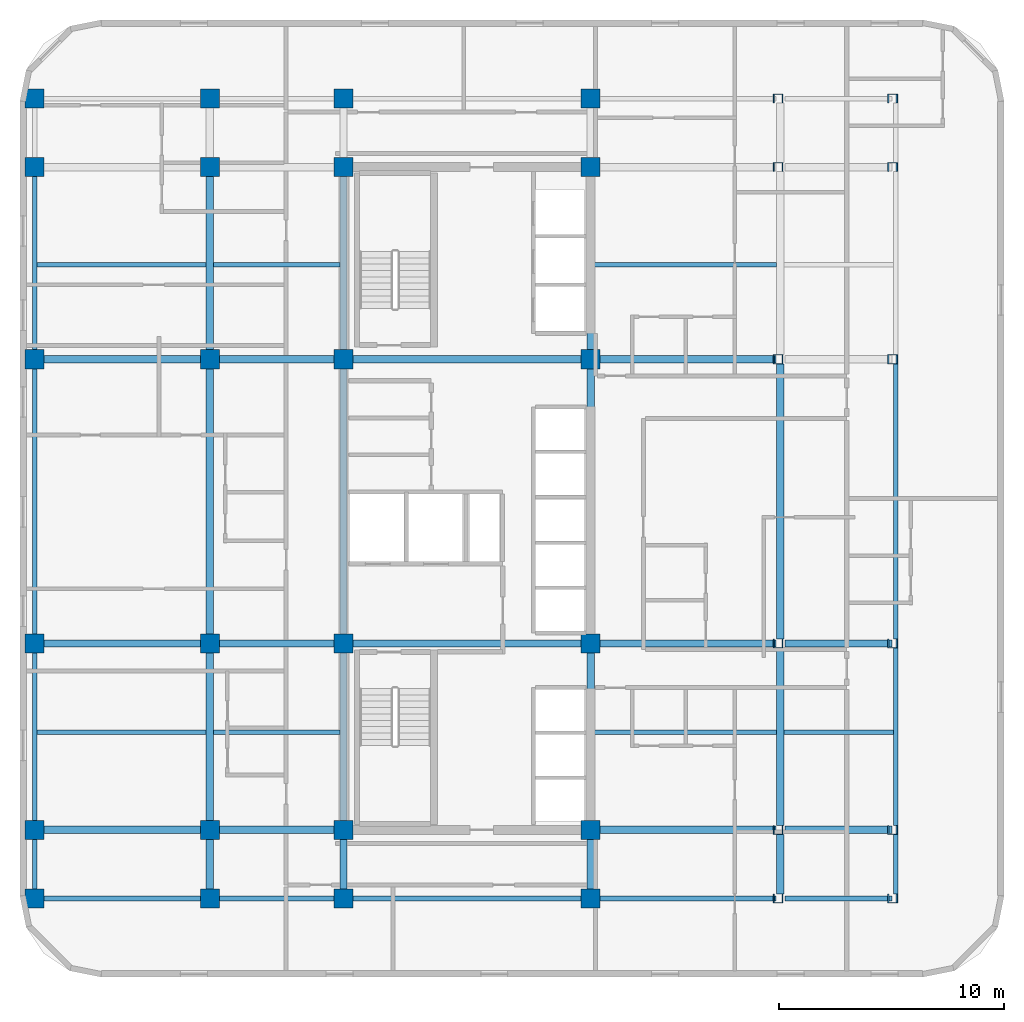
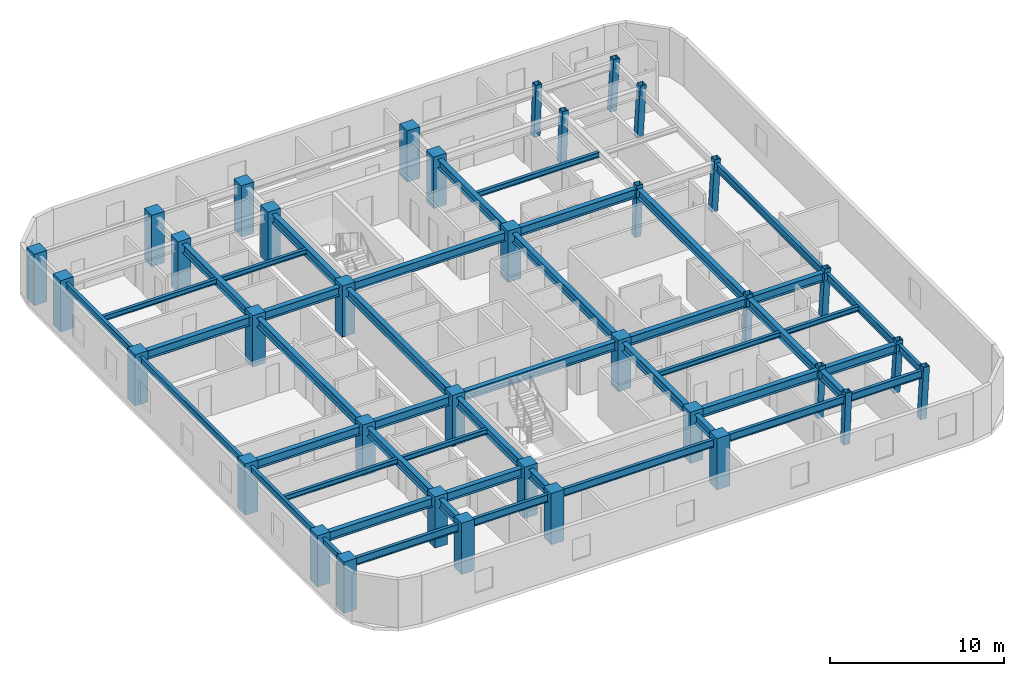
# One storey, part 1 of 8: 47 beams, 36 columns.
"""IFC4 building model written with IfcOpenShell, lengths in metres."""

from ifc_helpers import new_model, si_unit, direction, frame, origin, origin_2d, place, context, subcontext, project, spatial, rectangle, hollow_rectangle, i_section, extrude, material, material_profile, profile_set, type_object, element, save


model = new_model("IFC4")

# Units and contexts
model_context = context("Model", 3, precision=1e-05, world=origin(), true_north=direction((0.0, 1.0)))
body_context = subcontext(model_context, "Body", "Model", "MODEL_VIEW")
ifc_project = project(units=[si_unit("LENGTHUNIT", "METRE"), si_unit("AREAUNIT", "SQUARE_METRE"), si_unit("VOLUMEUNIT", "CUBIC_METRE"), si_unit("PLANEANGLEUNIT", "RADIAN"), si_unit("MASSUNIT", "GRAM", prefix="KILO")], contexts=[model_context])

# Site, building, storey
site_placement = place(None, origin())
site = spatial("IfcSite", under=ifc_project, at=site_placement, CompositionType="ELEMENT")
building_placement = place(site_placement, origin())
building = spatial("IfcBuilding", under=site, at=building_placement, Name="Ochreholt Gables", CompositionType="ELEMENT")
storey_placement = place(building_placement, frame((0.0, 0.0, 102.60009765625)))
storey = spatial("IfcBuildingStorey", under=building, at=storey_placement, Name="L26", CompositionType="ELEMENT", Elevation=102.60009765625)

# Columns
ifc_material_1 = material(Name="Steel CSA G40.21 350W", Category="steel")
ifc_material_profile_1 = material_profile(ifc_material_1, hollow_rectangle(XDim=0.406005859375, YDim=0.406005859375, WallThickness=0.01611328125, at=origin_2d()), Name="HSS406X406X16")
ifc_profile_set_1 = profile_set([ifc_material_profile_1], Name="Steel CSA G40.21 350W")
column_type_1 = type_object("IfcColumnType", Name="COL-HSS406-RAK", PredefinedType="COLUMN", material=ifc_profile_set_1)
for number, where, z_axis, x_axis, name in (
    (1, (43.527099609375, 9.25, 0.0), (0.034973505036, 0.0, 0.999388239847), (0.0, 1.0, 0.0), "L26 Column EMY2"),
    (2, (43.527099609375, 17.550048828125, 0.0), (0.034973505036, 0.0, 0.999388239847), (0.0, 1.0, 0.0), "L26 Column EMY3"),
    (3, (43.527099609375, 30.199951171875, 0.0), (0.034973505036, 0.0, 0.999388239847), (0.0, 1.0, 0.0), "L26 Column EMY4"),
    (4, (43.527099609375, 38.75, 0.0), (0.034973505036, 0.0, 0.999388239847), (0.0, 1.0, 0.0), "L26 Column EMY5"),
):
    element("IfcColumn", number, at=place(storey_placement, frame(where, z_axis=z_axis, x_axis=x_axis)), inside=storey, type_object=column_type_1, Name=name, PredefinedType="COLUMN", context=body_context, shape_type="SweptSolid", body=[
        extrude(hollow_rectangle(XDim=0.406005859375, YDim=0.406005859375, WallThickness=0.01611328125, at=origin_2d()), origin(), (0.0, 0.0, 1.0), 3.60205078125),
    ])
ifc_material_profile_2 = material_profile(ifc_material_1, hollow_rectangle(XDim=0.406005859375, YDim=0.406005859375, WallThickness=0.01611328125, at=origin_2d()), Name="HSS406X406X16")
ifc_profile_set_2 = profile_set([ifc_material_profile_2], Name="Steel CSA G40.21 350W")
column_type_2 = type_object("IfcColumnType", Name="COL-HSS406-RAKE", PredefinedType="COLUMN", material=ifc_profile_set_2)
for number, where, z_axis, x_axis, name in (
    (5, (43.527099609375, 6.199951171875, 0.0), (0.034973505036, 0.0, 0.999388239847), (0.0, 1.0, 0.0), "L26 Column EMY1"),
    (6, (43.527099609375, 41.800048828125, 0.0), (0.034973505036, 0.0, 0.999388239847), (0.0, 1.0, 0.0), "L26 Column EMY6"),
):
    element("IfcColumn", number, at=place(storey_placement, frame(where, z_axis=z_axis, x_axis=x_axis)), inside=storey, type_object=column_type_2, Name=name, PredefinedType="COLUMN", context=body_context, shape_type="SweptSolid", body=[
        extrude(hollow_rectangle(XDim=0.406005859375, YDim=0.406005859375, WallThickness=0.01611328125, at=origin_2d()), origin(), (0.0, 0.0, 1.0), 3.60205078125),
    ])
for number, where, z_axis, x_axis, name in (
    (7, (48.607666015625, 6.199951171875, 0.0), (0.057888518877, 0.0, 0.998323053617), (0.0, 1.0, 0.0), "L26 Column EEY1"),
    (8, (48.607666015625, 9.25, 0.0), (0.057888518877, 0.0, 0.998323053617), (0.0, 1.0, 0.0), "L26 Column EEY2"),
    (9, (48.607666015625, 17.550048828125, 0.0), (0.057888518877, 0.0, 0.998323053617), (0.0, 1.0, 0.0), "L26 Column EEY3"),
    (10, (48.607666015625, 30.199951171875, 0.0), (0.057888518877, 0.0, 0.998323053617), (0.0, 1.0, 0.0), "L26 Column EEY4"),
    (11, (48.607666015625, 38.75, 0.0), (0.057888518877, 0.0, 0.998323053617), (0.0, 1.0, 0.0), "L26 Column EEY5"),
    (12, (48.607666015625, 41.800048828125, 0.0), (0.057888518877, 0.0, 0.998323053617), (0.0, 1.0, 0.0), "L26 Column EEY6"),
):
    element("IfcColumn", number, at=place(storey_placement, frame(where, z_axis=z_axis, x_axis=x_axis)), inside=storey, type_object=column_type_2, Name=name, PredefinedType="COLUMN", context=body_context, shape_type="SweptSolid", body=[
        extrude(hollow_rectangle(XDim=0.406005859375, YDim=0.406005859375, WallThickness=0.01611328125, at=origin_2d()), origin(), (0.0, 0.0, 1.0), 3.60595703125),
    ])
ifc_material_2 = material(Name="Concrete 60 MPa", Category="concrete")
ifc_material_profile_3 = material_profile(ifc_material_2, rectangle(XDim=0.85009765625, YDim=0.85009765625, at=origin_2d()), Name="RC850X850")
ifc_profile_set_3 = profile_set([ifc_material_profile_3], Name="Concrete 60 MPa")
column_type_3 = type_object("IfcColumnType", Name="COL-RC850-EXT", PredefinedType="COLUMN", material=ifc_profile_set_3)
for number, where, z_axis, x_axis, name in (
    (13, (10.449951171875, 6.199951171875, 0.0), (0.0, 0.0, 1.0), (1.0, 0.0, 0.0), "L26 Column W2Y1"),
    (14, (10.449951171875, 9.25, 0.0), (0.0, 0.0, 1.0), (1.0, 0.0, 0.0), "L26 Column W2Y2"),
    (15, (10.449951171875, 17.550048828125, 0.0), (0.0, 0.0, 1.0), (1.0, 0.0, 0.0), "L26 Column W2Y3"),
    (16, (10.449951171875, 30.199951171875, 0.0), (0.0, 0.0, 1.0), (1.0, 0.0, 0.0), "L26 Column W2Y4"),
    (17, (10.449951171875, 38.75, 0.0), (0.0, 0.0, 1.0), (1.0, 0.0, 0.0), "L26 Column W2Y5"),
    (18, (10.449951171875, 41.800048828125, 0.0), (0.0, 0.0, 1.0), (1.0, 0.0, 0.0), "L26 Column W2Y6"),
    (19, (18.25, 6.199951171875, 0.0), (0.0, 0.0, 1.0), (1.0, 0.0, 0.0), "L26 Column W3Y1"),
    (20, (18.25, 41.800048828125, 0.0), (0.0, 0.0, 1.0), (1.0, 0.0, 0.0), "L26 Column W3Y6"),
    (21, (24.199951171875, 6.199951171875, 0.0), (0.0, 0.0, 1.0), (1.0, 0.0, 0.0), "L26 Column C1Y1"),
    (22, (24.199951171875, 41.800048828125, 0.0), (0.0, 0.0, 1.0), (1.0, 0.0, 0.0), "L26 Column C1Y6"),
    (23, (35.199951171875, 6.199951171875, 0.0), (0.0, 0.0, 1.0), (1.0, 0.0, 0.0), "L26 Column C2Y1"),
    (24, (35.199951171875, 41.800048828125, 0.0), (0.0, 0.0, 1.0), (1.0, 0.0, 0.0), "L26 Column C2Y6"),
):
    element("IfcColumn", number, at=place(storey_placement, frame(where, z_axis=z_axis, x_axis=x_axis)), inside=storey, type_object=column_type_3, Name=name, PredefinedType="COLUMN", context=body_context, shape_type="SweptSolid", body=[
        extrude(rectangle(XDim=0.85009765625, YDim=0.85009765625, at=origin_2d()), origin(), (0.0, 0.0, 1.0), 3.599853515625),
    ])
ifc_material_profile_4 = material_profile(ifc_material_2, rectangle(XDim=0.85009765625, YDim=0.85009765625, at=origin_2d()), Name="RC850X850")
ifc_profile_set_4 = profile_set([ifc_material_profile_4], Name="Concrete 60 MPa")
column_type_4 = type_object("IfcColumnType", Name="COL-RC850-INT", PredefinedType="COLUMN", material=ifc_profile_set_4)
for number, where, z_axis, x_axis, name in (
    (25, (18.25, 9.25, 0.0), (0.0, 0.0, 1.0), (1.0, 0.0, 0.0), "L26 Column W3Y2"),
    (26, (18.25, 17.550048828125, 0.0), (0.0, 0.0, 1.0), (1.0, 0.0, 0.0), "L26 Column W3Y3"),
    (27, (18.25, 30.199951171875, 0.0), (0.0, 0.0, 1.0), (1.0, 0.0, 0.0), "L26 Column W3Y4"),
    (28, (18.25, 38.75, 0.0), (0.0, 0.0, 1.0), (1.0, 0.0, 0.0), "L26 Column W3Y5"),
    (29, (24.199951171875, 9.25, 0.0), (0.0, 0.0, 1.0), (1.0, 0.0, 0.0), "L26 Column C1Y2"),
    (30, (24.199951171875, 17.550048828125, 0.0), (0.0, 0.0, 1.0), (1.0, 0.0, 0.0), "L26 Column C1Y3"),
    (31, (24.199951171875, 30.199951171875, 0.0), (0.0, 0.0, 1.0), (1.0, 0.0, 0.0), "L26 Column C1Y4"),
    (32, (24.199951171875, 38.75, 0.0), (0.0, 0.0, 1.0), (1.0, 0.0, 0.0), "L26 Column C1Y5"),
    (33, (35.199951171875, 9.25, 0.0), (0.0, 0.0, 1.0), (1.0, 0.0, 0.0), "L26 Column C2Y2"),
    (34, (35.199951171875, 17.550048828125, 0.0), (0.0, 0.0, 1.0), (1.0, 0.0, 0.0), "L26 Column C2Y3"),
    (35, (35.199951171875, 30.199951171875, 0.0), (0.0, 0.0, 1.0), (1.0, 0.0, 0.0), "L26 Column C2Y4"),
    (36, (35.199951171875, 38.75, 0.0), (0.0, 0.0, 1.0), (1.0, 0.0, 0.0), "L26 Column C2Y5"),
):
    element("IfcColumn", number, at=place(storey_placement, frame(where, z_axis=z_axis, x_axis=x_axis)), inside=storey, type_object=column_type_4, Name=name, PredefinedType="COLUMN", context=body_context, shape_type="SweptSolid", body=[
        extrude(rectangle(XDim=0.85009765625, YDim=0.85009765625, at=origin_2d()), origin(), (0.0, 0.0, 1.0), 3.599853515625),
    ])

# Beams
ifc_material_profile_5 = material_profile(ifc_material_1, i_section(OverallWidth=0.323974609375, OverallDepth=0.611083984375, WebThickness=0.0126953125, FlangeThickness=0.01904296875, at=origin_2d()), Name="W610X155")
ifc_profile_set_5 = profile_set([ifc_material_profile_5], Name="Steel CSA G40.21 350W")
beam_type_1 = type_object("IfcBeamType", Name="BM-G-W610A", PredefinedType="BEAM", material=ifc_profile_set_5)
beam_1_placement = place(storey_placement, frame((10.87451171875, 9.25, 3.054443359375), z_axis=(1.0, 0.0, 0.0), x_axis=(0.0, 1.0, 0.0)))
element("IfcBeam", 37, at=beam_1_placement, inside=storey, type_object=beam_type_1, Name="L26 Beam TBG-L26-W2W3-Y2", PredefinedType="BEAM", context=body_context, shape_type="SweptSolid", body=[
    extrude(i_section(OverallWidth=0.323974609375, OverallDepth=0.611083984375, WebThickness=0.0126953125, FlangeThickness=0.01904296875, at=origin_2d()), origin(), (0.0, 0.0, 1.0), 6.950927734375),
])
beam_2_placement = place(storey_placement, frame((18.674560546875, 9.25, 3.054443359375), z_axis=(1.0, 0.0, 0.0), x_axis=(0.0, 1.0, 0.0)))
element("IfcBeam", 38, at=beam_2_placement, inside=storey, type_object=beam_type_1, Name="L26 Beam TBG-L26-W3C1-Y2", PredefinedType="BEAM", context=body_context, shape_type="SweptSolid", body=[
    extrude(i_section(OverallWidth=0.323974609375, OverallDepth=0.611083984375, WebThickness=0.0126953125, FlangeThickness=0.01904296875, at=origin_2d()), origin(), (0.0, 0.0, 1.0), 5.100830078125),
])
beam_3_placement = place(storey_placement, frame((35.62451171875, 9.25, 3.054443359375), z_axis=(1.0, 0.0, 0.0), x_axis=(0.0, 1.0, 0.0)))
element("IfcBeam", 39, at=beam_3_placement, inside=storey, type_object=beam_type_1, Name="L26 Beam TBG-L26-C2EM-Y2", PredefinedType="BEAM", context=body_context, shape_type="SweptSolid", body=[
    extrude(i_section(OverallWidth=0.323974609375, OverallDepth=0.611083984375, WebThickness=0.0126953125, FlangeThickness=0.01904296875, at=origin_2d()), origin(), (0.0, 0.0, 1.0), 7.825927734375),
])
beam_4_placement = place(storey_placement, frame((43.855712890625, 9.25, 3.054443359375), z_axis=(1.0, 0.0, 0.0), x_axis=(0.0, 1.0, 0.0)))
element("IfcBeam", 40, at=beam_4_placement, inside=storey, type_object=beam_type_1, Name="L26 Beam TBG-L26-EMEE-Y2", PredefinedType="BEAM", context=body_context, shape_type="SweptSolid", body=[
    extrude(i_section(OverallWidth=0.323974609375, OverallDepth=0.611083984375, WebThickness=0.0126953125, FlangeThickness=0.01904296875, at=origin_2d()), origin(), (0.0, 0.0, 1.0), 4.758056640625),
])
beam_5_placement = place(storey_placement, frame((10.87451171875, 17.550048828125, 3.054443359375), z_axis=(1.0, 0.0, 0.0), x_axis=(0.0, 1.0, 0.0)))
element("IfcBeam", 41, at=beam_5_placement, inside=storey, type_object=beam_type_1, Name="L26 Beam TBG-L26-W2W3-Y3", PredefinedType="BEAM", context=body_context, shape_type="SweptSolid", body=[
    extrude(i_section(OverallWidth=0.323974609375, OverallDepth=0.611083984375, WebThickness=0.0126953125, FlangeThickness=0.01904296875, at=origin_2d()), origin(), (0.0, 0.0, 1.0), 6.950927734375),
])
beam_6_placement = place(storey_placement, frame((18.674560546875, 17.550048828125, 3.054443359375), z_axis=(1.0, 0.0, 0.0), x_axis=(0.0, 1.0, 0.0)))
element("IfcBeam", 42, at=beam_6_placement, inside=storey, type_object=beam_type_1, Name="L26 Beam TBG-L26-W3C1-Y3", PredefinedType="BEAM", context=body_context, shape_type="SweptSolid", body=[
    extrude(i_section(OverallWidth=0.323974609375, OverallDepth=0.611083984375, WebThickness=0.0126953125, FlangeThickness=0.01904296875, at=origin_2d()), origin(), (0.0, 0.0, 1.0), 5.100830078125),
])
beam_7_placement = place(storey_placement, frame((24.62451171875, 17.550048828125, 3.054443359375), z_axis=(1.0, 0.0, 0.0), x_axis=(0.0, 1.0, 0.0)))
element("IfcBeam", 43, at=beam_7_placement, inside=storey, type_object=beam_type_1, Name="L26 Beam TBG-L26-C1C2-Y3", PredefinedType="BEAM", context=body_context, shape_type="SweptSolid", body=[
    extrude(i_section(OverallWidth=0.323974609375, OverallDepth=0.611083984375, WebThickness=0.0126953125, FlangeThickness=0.01904296875, at=origin_2d()), origin(), (0.0, 0.0, 1.0), 10.15087890625),
])
beam_8_placement = place(storey_placement, frame((35.62451171875, 17.550048828125, 3.054443359375), z_axis=(1.0, 0.0, 0.0), x_axis=(0.0, 1.0, 0.0)))
element("IfcBeam", 44, at=beam_8_placement, inside=storey, type_object=beam_type_1, Name="L26 Beam TBG-L26-C2EM-Y3", PredefinedType="BEAM", context=body_context, shape_type="SweptSolid", body=[
    extrude(i_section(OverallWidth=0.323974609375, OverallDepth=0.611083984375, WebThickness=0.0126953125, FlangeThickness=0.01904296875, at=origin_2d()), origin(), (0.0, 0.0, 1.0), 7.825927734375),
])
beam_9_placement = place(storey_placement, frame((43.855712890625, 17.550048828125, 3.054443359375), z_axis=(1.0, 0.0, 0.0), x_axis=(0.0, 1.0, 0.0)))
element("IfcBeam", 45, at=beam_9_placement, inside=storey, type_object=beam_type_1, Name="L26 Beam TBG-L26-EMEE-Y3", PredefinedType="BEAM", context=body_context, shape_type="SweptSolid", body=[
    extrude(i_section(OverallWidth=0.323974609375, OverallDepth=0.611083984375, WebThickness=0.0126953125, FlangeThickness=0.01904296875, at=origin_2d()), origin(), (0.0, 0.0, 1.0), 4.758056640625),
])
beam_10_placement = place(storey_placement, frame((10.87451171875, 30.199951171875, 3.054443359375), z_axis=(1.0, 0.0, 0.0), x_axis=(0.0, 1.0, 0.0)))
element("IfcBeam", 46, at=beam_10_placement, inside=storey, type_object=beam_type_1, Name="L26 Beam TBG-L26-W2W3-Y4", PredefinedType="BEAM", context=body_context, shape_type="SweptSolid", body=[
    extrude(i_section(OverallWidth=0.323974609375, OverallDepth=0.611083984375, WebThickness=0.0126953125, FlangeThickness=0.01904296875, at=origin_2d()), origin(), (0.0, 0.0, 1.0), 6.950927734375),
])
beam_11_placement = place(storey_placement, frame((18.674560546875, 30.199951171875, 3.054443359375), z_axis=(1.0, 0.0, 0.0), x_axis=(0.0, 1.0, 0.0)))
element("IfcBeam", 47, at=beam_11_placement, inside=storey, type_object=beam_type_1, Name="L26 Beam TBG-L26-W3C1-Y4", PredefinedType="BEAM", context=body_context, shape_type="SweptSolid", body=[
    extrude(i_section(OverallWidth=0.323974609375, OverallDepth=0.611083984375, WebThickness=0.0126953125, FlangeThickness=0.01904296875, at=origin_2d()), origin(), (0.0, 0.0, 1.0), 5.100830078125),
])
beam_12_placement = place(storey_placement, frame((24.62451171875, 30.199951171875, 3.054443359375), z_axis=(1.0, 0.0, 0.0), x_axis=(0.0, 1.0, 0.0)))
element("IfcBeam", 48, at=beam_12_placement, inside=storey, type_object=beam_type_1, Name="L26 Beam TBG-L26-C1C2-Y4", PredefinedType="BEAM", context=body_context, shape_type="SweptSolid", body=[
    extrude(i_section(OverallWidth=0.323974609375, OverallDepth=0.611083984375, WebThickness=0.0126953125, FlangeThickness=0.01904296875, at=origin_2d()), origin(), (0.0, 0.0, 1.0), 10.15087890625),
])
beam_13_placement = place(storey_placement, frame((35.62451171875, 30.199951171875, 3.054443359375), z_axis=(1.0, 0.0, 0.0), x_axis=(0.0, 1.0, 0.0)))
element("IfcBeam", 49, at=beam_13_placement, inside=storey, type_object=beam_type_1, Name="L26 Beam TBG-L26-C2EM-Y4", PredefinedType="BEAM", context=body_context, shape_type="SweptSolid", body=[
    extrude(i_section(OverallWidth=0.323974609375, OverallDepth=0.611083984375, WebThickness=0.0126953125, FlangeThickness=0.01904296875, at=origin_2d()), origin(), (0.0, 0.0, 1.0), 7.825927734375),
])
beam_14_placement = place(storey_placement, frame((18.25, 6.62451171875, 3.054443359375), z_axis=(0.0, 1.0, 0.0), x_axis=(-1.0, 0.0, 0.0)))
element("IfcBeam", 50, at=beam_14_placement, inside=storey, type_object=beam_type_1, Name="L26 Beam TBN-L26-W3-Y1Y2", PredefinedType="BEAM", context=body_context, shape_type="SweptSolid", body=[
    extrude(i_section(OverallWidth=0.323974609375, OverallDepth=0.611083984375, WebThickness=0.0126953125, FlangeThickness=0.01904296875, at=origin_2d()), origin(), (0.0, 0.0, 1.0), 2.200927734375),
])
beam_15_placement = place(storey_placement, frame((18.25, 9.674560546875, 3.054443359375), z_axis=(0.0, 1.0, 0.0), x_axis=(-1.0, 0.0, 0.0)))
element("IfcBeam", 51, at=beam_15_placement, inside=storey, type_object=beam_type_1, Name="L26 Beam TBN-L26-W3-Y2Y3", PredefinedType="BEAM", context=body_context, shape_type="SweptSolid", body=[
    extrude(i_section(OverallWidth=0.323974609375, OverallDepth=0.611083984375, WebThickness=0.0126953125, FlangeThickness=0.01904296875, at=origin_2d()), origin(), (0.0, 0.0, 1.0), 7.450927734375),
])
beam_16_placement = place(storey_placement, frame((18.25, 17.974609375, 3.054443359375), z_axis=(0.0, 1.0, 0.0), x_axis=(-1.0, 0.0, 0.0)))
element("IfcBeam", 52, at=beam_16_placement, inside=storey, type_object=beam_type_1, Name="L26 Beam TBN-L26-W3-Y3Y4", PredefinedType="BEAM", context=body_context, shape_type="SweptSolid", body=[
    extrude(i_section(OverallWidth=0.323974609375, OverallDepth=0.611083984375, WebThickness=0.0126953125, FlangeThickness=0.01904296875, at=origin_2d()), origin(), (0.0, 0.0, 1.0), 11.80078125),
])
beam_17_placement = place(storey_placement, frame((18.25, 30.62451171875, 3.054443359375), z_axis=(0.0, 1.0, 0.0), x_axis=(-1.0, 0.0, 0.0)))
element("IfcBeam", 53, at=beam_17_placement, inside=storey, type_object=beam_type_1, Name="L26 Beam TBN-L26-W3-Y4Y5", PredefinedType="BEAM", context=body_context, shape_type="SweptSolid", body=[
    extrude(i_section(OverallWidth=0.323974609375, OverallDepth=0.611083984375, WebThickness=0.0126953125, FlangeThickness=0.01904296875, at=origin_2d()), origin(), (0.0, 0.0, 1.0), 7.700927734375),
])
beam_18_placement = place(storey_placement, frame((24.199951171875, 6.62451171875, 3.054443359375), z_axis=(0.0, 1.0, 0.0), x_axis=(-1.0, 0.0, 0.0)))
element("IfcBeam", 54, at=beam_18_placement, inside=storey, type_object=beam_type_1, Name="L26 Beam TBN-L26-C1-Y1Y2", PredefinedType="BEAM", context=body_context, shape_type="SweptSolid", body=[
    extrude(i_section(OverallWidth=0.323974609375, OverallDepth=0.611083984375, WebThickness=0.0126953125, FlangeThickness=0.01904296875, at=origin_2d()), origin(), (0.0, 0.0, 1.0), 2.200927734375),
])
beam_19_placement = place(storey_placement, frame((24.199951171875, 9.674560546875, 3.054443359375), z_axis=(0.0, 1.0, 0.0), x_axis=(-1.0, 0.0, 0.0)))
element("IfcBeam", 55, at=beam_19_placement, inside=storey, type_object=beam_type_1, Name="L26 Beam TBN-L26-C1-Y2Y3", PredefinedType="BEAM", context=body_context, shape_type="SweptSolid", body=[
    extrude(i_section(OverallWidth=0.323974609375, OverallDepth=0.611083984375, WebThickness=0.0126953125, FlangeThickness=0.01904296875, at=origin_2d()), origin(), (0.0, 0.0, 1.0), 7.450927734375),
])
beam_20_placement = place(storey_placement, frame((24.199951171875, 17.974609375, 3.054443359375), z_axis=(0.0, 1.0, 0.0), x_axis=(-1.0, 0.0, 0.0)))
element("IfcBeam", 56, at=beam_20_placement, inside=storey, type_object=beam_type_1, Name="L26 Beam TBN-L26-C1-Y3Y4", PredefinedType="BEAM", context=body_context, shape_type="SweptSolid", body=[
    extrude(i_section(OverallWidth=0.323974609375, OverallDepth=0.611083984375, WebThickness=0.0126953125, FlangeThickness=0.01904296875, at=origin_2d()), origin(), (0.0, 0.0, 1.0), 11.80078125),
])
beam_21_placement = place(storey_placement, frame((24.199951171875, 30.62451171875, 3.054443359375), z_axis=(0.0, 1.0, 0.0), x_axis=(-1.0, 0.0, 0.0)))
element("IfcBeam", 57, at=beam_21_placement, inside=storey, type_object=beam_type_1, Name="L26 Beam TBN-L26-C1-Y4Y5", PredefinedType="BEAM", context=body_context, shape_type="SweptSolid", body=[
    extrude(i_section(OverallWidth=0.323974609375, OverallDepth=0.611083984375, WebThickness=0.0126953125, FlangeThickness=0.01904296875, at=origin_2d()), origin(), (0.0, 0.0, 1.0), 7.700927734375),
])
beam_22_placement = place(storey_placement, frame((35.199951171875, 6.62451171875, 3.054443359375), z_axis=(0.0, 1.0, 0.0), x_axis=(-1.0, 0.0, 0.0)))
element("IfcBeam", 58, at=beam_22_placement, inside=storey, type_object=beam_type_1, Name="L26 Beam TBN-L26-C2-Y1Y2", PredefinedType="BEAM", context=body_context, shape_type="SweptSolid", body=[
    extrude(i_section(OverallWidth=0.323974609375, OverallDepth=0.611083984375, WebThickness=0.0126953125, FlangeThickness=0.01904296875, at=origin_2d()), origin(), (0.0, 0.0, 1.0), 2.200927734375),
])
beam_23_placement = place(storey_placement, frame((35.199951171875, 9.674560546875, 3.054443359375), z_axis=(0.0, 1.0, 0.0), x_axis=(-1.0, 0.0, 0.0)))
element("IfcBeam", 59, at=beam_23_placement, inside=storey, type_object=beam_type_1, Name="L26 Beam TBN-L26-C2-Y2Y3", PredefinedType="BEAM", context=body_context, shape_type="SweptSolid", body=[
    extrude(i_section(OverallWidth=0.323974609375, OverallDepth=0.611083984375, WebThickness=0.0126953125, FlangeThickness=0.01904296875, at=origin_2d()), origin(), (0.0, 0.0, 1.0), 7.450927734375),
])
beam_24_placement = place(storey_placement, frame((35.199951171875, 17.974609375, 3.054443359375), z_axis=(0.0, 1.0, 0.0), x_axis=(-1.0, 0.0, 0.0)))
element("IfcBeam", 60, at=beam_24_placement, inside=storey, type_object=beam_type_1, Name="L26 Beam TBN-L26-C2-Y3Y4", PredefinedType="BEAM", context=body_context, shape_type="SweptSolid", body=[
    extrude(i_section(OverallWidth=0.323974609375, OverallDepth=0.611083984375, WebThickness=0.0126953125, FlangeThickness=0.01904296875, at=origin_2d()), origin(), (0.0, 0.0, 1.0), 11.80078125),
])
beam_25_placement = place(storey_placement, frame((35.199951171875, 30.62451171875, 3.054443359375), z_axis=(0.0, 1.0, 0.0), x_axis=(-1.0, 0.0, 0.0)))
element("IfcBeam", 61, at=beam_25_placement, inside=storey, type_object=beam_type_1, Name="L26 Beam TBN-L26-C2-Y4Y5", PredefinedType="BEAM", context=body_context, shape_type="SweptSolid", body=[
    extrude(i_section(OverallWidth=0.323974609375, OverallDepth=0.611083984375, WebThickness=0.0126953125, FlangeThickness=0.01904296875, at=origin_2d()), origin(), (0.0, 0.0, 1.0), 7.700927734375),
])
beam_26_placement = place(storey_placement, frame((43.6357421875, 6.402587890625, 3.054443359375), z_axis=(0.0, 1.0, 0.0), x_axis=(-1.0, 0.0, 0.0)))
element("IfcBeam", 62, at=beam_26_placement, inside=storey, type_object=beam_type_1, Name="L26 Beam TBN-L26-EM-Y1Y2", PredefinedType="BEAM", context=body_context, shape_type="SweptSolid", body=[
    extrude(i_section(OverallWidth=0.323974609375, OverallDepth=0.611083984375, WebThickness=0.0126953125, FlangeThickness=0.01904296875, at=origin_2d()), origin(), (0.0, 0.0, 1.0), 2.644775390625),
])
beam_27_placement = place(storey_placement, frame((43.6357421875, 9.45263671875, 3.054443359375), z_axis=(0.0, 1.0, 0.0), x_axis=(-1.0, 0.0, 0.0)))
element("IfcBeam", 63, at=beam_27_placement, inside=storey, type_object=beam_type_1, Name="L26 Beam TBN-L26-EM-Y2Y3", PredefinedType="BEAM", context=body_context, shape_type="SweptSolid", body=[
    extrude(i_section(OverallWidth=0.323974609375, OverallDepth=0.611083984375, WebThickness=0.0126953125, FlangeThickness=0.01904296875, at=origin_2d()), origin(), (0.0, 0.0, 1.0), 7.894775390625),
])
beam_28_placement = place(storey_placement, frame((43.6357421875, 17.752685546875, 3.054443359375), z_axis=(0.0, 1.0, 0.0), x_axis=(-1.0, 0.0, 0.0)))
element("IfcBeam", 64, at=beam_28_placement, inside=storey, type_object=beam_type_1, Name="L26 Beam TBN-L26-EM-Y3Y4", PredefinedType="BEAM", context=body_context, shape_type="SweptSolid", body=[
    extrude(i_section(OverallWidth=0.323974609375, OverallDepth=0.611083984375, WebThickness=0.0126953125, FlangeThickness=0.01904296875, at=origin_2d()), origin(), (0.0, 0.0, 1.0), 12.24462890625),
])
ifc_material_profile_6 = material_profile(ifc_material_1, i_section(OverallWidth=0.205078125, OverallDepth=0.35400390625, WebThickness=0.009521484375, FlangeThickness=0.016845703125, at=origin_2d()), Name="W360X79")
ifc_profile_set_6 = profile_set([ifc_material_profile_6], Name="Steel CSA G40.21 350W")
beam_type_2 = type_object("IfcBeamType", Name="BM-J-W360A", PredefinedType="JOIST", material=ifc_profile_set_6)
beam_29_placement = place(storey_placement, frame((10.55419921875, 13.60009765625, 3.182861328125), z_axis=(1.0, 0.0, 0.0), x_axis=(0.0, 1.0, 0.0)))
element("IfcBeam", 65, at=beam_29_placement, inside=storey, type_object=beam_type_2, Name="L26 Beam TBJ-L26-J1-W2W3", PredefinedType="JOIST", context=body_context, shape_type="SweptSolid", body=[
    extrude(i_section(OverallWidth=0.205078125, OverallDepth=0.35400390625, WebThickness=0.009521484375, FlangeThickness=0.016845703125, at=origin_2d()), origin(), (0.0, 0.0, 1.0), 7.5341796875),
])
beam_30_placement = place(storey_placement, frame((18.41162109375, 13.60009765625, 3.182861328125), z_axis=(1.0, 0.0, 0.0), x_axis=(0.0, 1.0, 0.0)))
element("IfcBeam", 66, at=beam_30_placement, inside=storey, type_object=beam_type_2, Name="L26 Beam TBJ-L26-J1-W3C1", PredefinedType="JOIST", context=body_context, shape_type="SweptSolid", body=[
    extrude(i_section(OverallWidth=0.205078125, OverallDepth=0.35400390625, WebThickness=0.009521484375, FlangeThickness=0.016845703125, at=origin_2d()), origin(), (0.0, 0.0, 1.0), 5.626708984375),
])
beam_31_placement = place(storey_placement, frame((35.361572265625, 13.60009765625, 3.182861328125), z_axis=(1.0, 0.0, 0.0), x_axis=(0.0, 1.0, 0.0)))
element("IfcBeam", 67, at=beam_31_placement, inside=storey, type_object=beam_type_2, Name="L26 Beam TBJ-L26-J1-C2EM", PredefinedType="JOIST", context=body_context, shape_type="SweptSolid", body=[
    extrude(i_section(OverallWidth=0.205078125, OverallDepth=0.35400390625, WebThickness=0.009521484375, FlangeThickness=0.016845703125, at=origin_2d()), origin(), (0.0, 0.0, 1.0), 8.112548828125),
])
beam_32_placement = place(storey_placement, frame((43.79736328125, 13.60009765625, 3.182861328125), z_axis=(1.0, 0.0, 0.0), x_axis=(0.0, 1.0, 0.0)))
element("IfcBeam", 68, at=beam_32_placement, inside=storey, type_object=beam_type_2, Name="L26 Beam TBJ-L26-J1-EMEE", PredefinedType="JOIST", context=body_context, shape_type="SweptSolid", body=[
    extrude(i_section(OverallWidth=0.205078125, OverallDepth=0.35400390625, WebThickness=0.009521484375, FlangeThickness=0.016845703125, at=origin_2d()), origin(), (0.0, 0.0, 1.0), 4.886474609375),
])
beam_33_placement = place(storey_placement, frame((10.55419921875, 34.39990234375, 3.182861328125), z_axis=(1.0, 0.0, 0.0), x_axis=(0.0, 1.0, 0.0)))
element("IfcBeam", 69, at=beam_33_placement, inside=storey, type_object=beam_type_2, Name="L26 Beam TBJ-L26-J2-W2W3", PredefinedType="JOIST", context=body_context, shape_type="SweptSolid", body=[
    extrude(i_section(OverallWidth=0.205078125, OverallDepth=0.35400390625, WebThickness=0.009521484375, FlangeThickness=0.016845703125, at=origin_2d()), origin(), (0.0, 0.0, 1.0), 7.5341796875),
])
beam_34_placement = place(storey_placement, frame((18.41162109375, 34.39990234375, 3.182861328125), z_axis=(1.0, 0.0, 0.0), x_axis=(0.0, 1.0, 0.0)))
element("IfcBeam", 70, at=beam_34_placement, inside=storey, type_object=beam_type_2, Name="L26 Beam TBJ-L26-J2-W3C1", PredefinedType="JOIST", context=body_context, shape_type="SweptSolid", body=[
    extrude(i_section(OverallWidth=0.205078125, OverallDepth=0.35400390625, WebThickness=0.009521484375, FlangeThickness=0.016845703125, at=origin_2d()), origin(), (0.0, 0.0, 1.0), 5.626708984375),
])
beam_35_placement = place(storey_placement, frame((35.361572265625, 34.39990234375, 3.182861328125), z_axis=(1.0, 0.0, 0.0), x_axis=(0.0, 1.0, 0.0)))
element("IfcBeam", 71, at=beam_35_placement, inside=storey, type_object=beam_type_2, Name="L26 Beam TBJ-L26-J2-C2EM", PredefinedType="JOIST", context=body_context, shape_type="SweptSolid", body=[
    extrude(i_section(OverallWidth=0.205078125, OverallDepth=0.35400390625, WebThickness=0.009521484375, FlangeThickness=0.016845703125, at=origin_2d()), origin(), (0.0, 0.0, 1.0), 8.112548828125),
])
ifc_material_profile_7 = material_profile(ifc_material_1, i_section(OverallWidth=0.208984375, OverallDepth=0.532958984375, WebThickness=0.01025390625, FlangeThickness=0.015625, at=origin_2d()), Name="W530X92")
ifc_profile_set_7 = profile_set([ifc_material_profile_7], Name="Steel CSA G40.21 350W")
beam_type_3 = type_object("IfcBeamType", Name="BM-SP-W530B", PredefinedType="SPANDREL", material=ifc_profile_set_7)
beam_36_placement = place(storey_placement, frame((10.87451171875, 6.199951171875, 3.093505859375), z_axis=(1.0, 0.0, 0.0), x_axis=(0.0, 1.0, 0.0)))
element("IfcBeam", 72, at=beam_36_placement, inside=storey, type_object=beam_type_3, Name="L26 Beam TBG-L26-W2W3-Y1", PredefinedType="SPANDREL", context=body_context, shape_type="SweptSolid", body=[
    extrude(i_section(OverallWidth=0.208984375, OverallDepth=0.532958984375, WebThickness=0.01025390625, FlangeThickness=0.015625, at=origin_2d()), origin(), (0.0, 0.0, 1.0), 6.950927734375),
])
beam_37_placement = place(storey_placement, frame((18.674560546875, 6.199951171875, 3.093505859375), z_axis=(1.0, 0.0, 0.0), x_axis=(0.0, 1.0, 0.0)))
element("IfcBeam", 73, at=beam_37_placement, inside=storey, type_object=beam_type_3, Name="L26 Beam TBG-L26-W3C1-Y1", PredefinedType="SPANDREL", context=body_context, shape_type="SweptSolid", body=[
    extrude(i_section(OverallWidth=0.208984375, OverallDepth=0.532958984375, WebThickness=0.01025390625, FlangeThickness=0.015625, at=origin_2d()), origin(), (0.0, 0.0, 1.0), 5.100830078125),
])
beam_38_placement = place(storey_placement, frame((24.62451171875, 6.199951171875, 3.093505859375), z_axis=(1.0, 0.0, 0.0), x_axis=(0.0, 1.0, 0.0)))
element("IfcBeam", 74, at=beam_38_placement, inside=storey, type_object=beam_type_3, Name="L26 Beam TBG-L26-C1C2-Y1", PredefinedType="SPANDREL", context=body_context, shape_type="SweptSolid", body=[
    extrude(i_section(OverallWidth=0.208984375, OverallDepth=0.532958984375, WebThickness=0.01025390625, FlangeThickness=0.015625, at=origin_2d()), origin(), (0.0, 0.0, 1.0), 10.15087890625),
])
beam_39_placement = place(storey_placement, frame((35.62451171875, 6.199951171875, 3.093505859375), z_axis=(1.0, 0.0, 0.0), x_axis=(0.0, 1.0, 0.0)))
element("IfcBeam", 75, at=beam_39_placement, inside=storey, type_object=beam_type_3, Name="L26 Beam TBG-L26-C2EM-Y1", PredefinedType="SPANDREL", context=body_context, shape_type="SweptSolid", body=[
    extrude(i_section(OverallWidth=0.208984375, OverallDepth=0.532958984375, WebThickness=0.01025390625, FlangeThickness=0.015625, at=origin_2d()), origin(), (0.0, 0.0, 1.0), 7.825927734375),
])
beam_40_placement = place(storey_placement, frame((43.855712890625, 6.199951171875, 3.093505859375), z_axis=(1.0, 0.0, 0.0), x_axis=(0.0, 1.0, 0.0)))
element("IfcBeam", 76, at=beam_40_placement, inside=storey, type_object=beam_type_3, Name="L26 Beam TBG-L26-EMEE-Y1", PredefinedType="SPANDREL", context=body_context, shape_type="SweptSolid", body=[
    extrude(i_section(OverallWidth=0.208984375, OverallDepth=0.532958984375, WebThickness=0.01025390625, FlangeThickness=0.015625, at=origin_2d()), origin(), (0.0, 0.0, 1.0), 4.758056640625),
])
beam_41_placement = place(storey_placement, frame((10.449951171875, 6.62451171875, 3.093505859375), z_axis=(0.0, 1.0, 0.0), x_axis=(-1.0, 0.0, 0.0)))
element("IfcBeam", 77, at=beam_41_placement, inside=storey, type_object=beam_type_3, Name="L26 Beam TBN-L26-W2-Y1Y2", PredefinedType="SPANDREL", context=body_context, shape_type="SweptSolid", body=[
    extrude(i_section(OverallWidth=0.208984375, OverallDepth=0.532958984375, WebThickness=0.01025390625, FlangeThickness=0.015625, at=origin_2d()), origin(), (0.0, 0.0, 1.0), 2.200927734375),
])
beam_42_placement = place(storey_placement, frame((10.449951171875, 9.674560546875, 3.093505859375), z_axis=(0.0, 1.0, 0.0), x_axis=(-1.0, 0.0, 0.0)))
element("IfcBeam", 78, at=beam_42_placement, inside=storey, type_object=beam_type_3, Name="L26 Beam TBN-L26-W2-Y2Y3", PredefinedType="SPANDREL", context=body_context, shape_type="SweptSolid", body=[
    extrude(i_section(OverallWidth=0.208984375, OverallDepth=0.532958984375, WebThickness=0.01025390625, FlangeThickness=0.015625, at=origin_2d()), origin(), (0.0, 0.0, 1.0), 7.450927734375),
])
beam_43_placement = place(storey_placement, frame((10.449951171875, 17.974609375, 3.093505859375), z_axis=(0.0, 1.0, 0.0), x_axis=(-1.0, 0.0, 0.0)))
element("IfcBeam", 79, at=beam_43_placement, inside=storey, type_object=beam_type_3, Name="L26 Beam TBN-L26-W2-Y3Y4", PredefinedType="SPANDREL", context=body_context, shape_type="SweptSolid", body=[
    extrude(i_section(OverallWidth=0.208984375, OverallDepth=0.532958984375, WebThickness=0.01025390625, FlangeThickness=0.015625, at=origin_2d()), origin(), (0.0, 0.0, 1.0), 11.80078125),
])
beam_44_placement = place(storey_placement, frame((10.449951171875, 30.62451171875, 3.093505859375), z_axis=(0.0, 1.0, 0.0), x_axis=(-1.0, 0.0, 0.0)))
element("IfcBeam", 80, at=beam_44_placement, inside=storey, type_object=beam_type_3, Name="L26 Beam TBN-L26-W2-Y4Y5", PredefinedType="SPANDREL", context=body_context, shape_type="SweptSolid", body=[
    extrude(i_section(OverallWidth=0.208984375, OverallDepth=0.532958984375, WebThickness=0.01025390625, FlangeThickness=0.015625, at=origin_2d()), origin(), (0.0, 0.0, 1.0), 7.700927734375),
])
beam_45_placement = place(storey_placement, frame((48.7880859375, 6.402587890625, 3.093505859375), z_axis=(0.0, 1.0, 0.0), x_axis=(-1.0, 0.0, 0.0)))
element("IfcBeam", 81, at=beam_45_placement, inside=storey, type_object=beam_type_3, Name="L26 Beam TBN-L26-EE-Y1Y2", PredefinedType="SPANDREL", context=body_context, shape_type="SweptSolid", body=[
    extrude(i_section(OverallWidth=0.208984375, OverallDepth=0.532958984375, WebThickness=0.01025390625, FlangeThickness=0.015625, at=origin_2d()), origin(), (0.0, 0.0, 1.0), 2.644775390625),
])
beam_46_placement = place(storey_placement, frame((48.7880859375, 9.45263671875, 3.093505859375), z_axis=(0.0, 1.0, 0.0), x_axis=(-1.0, 0.0, 0.0)))
element("IfcBeam", 82, at=beam_46_placement, inside=storey, type_object=beam_type_3, Name="L26 Beam TBN-L26-EE-Y2Y3", PredefinedType="SPANDREL", context=body_context, shape_type="SweptSolid", body=[
    extrude(i_section(OverallWidth=0.208984375, OverallDepth=0.532958984375, WebThickness=0.01025390625, FlangeThickness=0.015625, at=origin_2d()), origin(), (0.0, 0.0, 1.0), 7.894775390625),
])
beam_47_placement = place(storey_placement, frame((48.7880859375, 17.752685546875, 3.093505859375), z_axis=(0.0, 1.0, 0.0), x_axis=(-1.0, 0.0, 0.0)))
element("IfcBeam", 83, at=beam_47_placement, inside=storey, type_object=beam_type_3, Name="L26 Beam TBN-L26-EE-Y3Y4", PredefinedType="SPANDREL", context=body_context, shape_type="SweptSolid", body=[
    extrude(i_section(OverallWidth=0.208984375, OverallDepth=0.532958984375, WebThickness=0.01025390625, FlangeThickness=0.015625, at=origin_2d()), origin(), (0.0, 0.0, 1.0), 12.24462890625),
])

save(model, "model.ifc")
